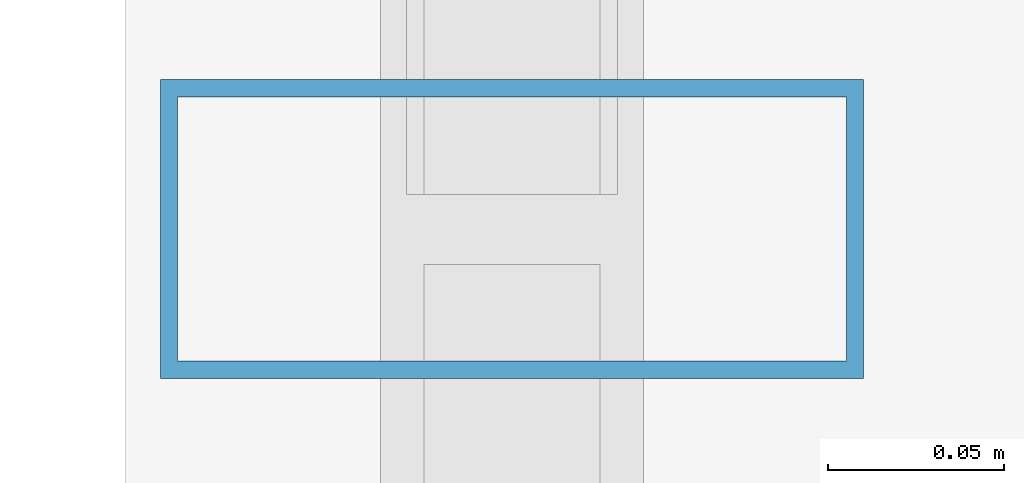
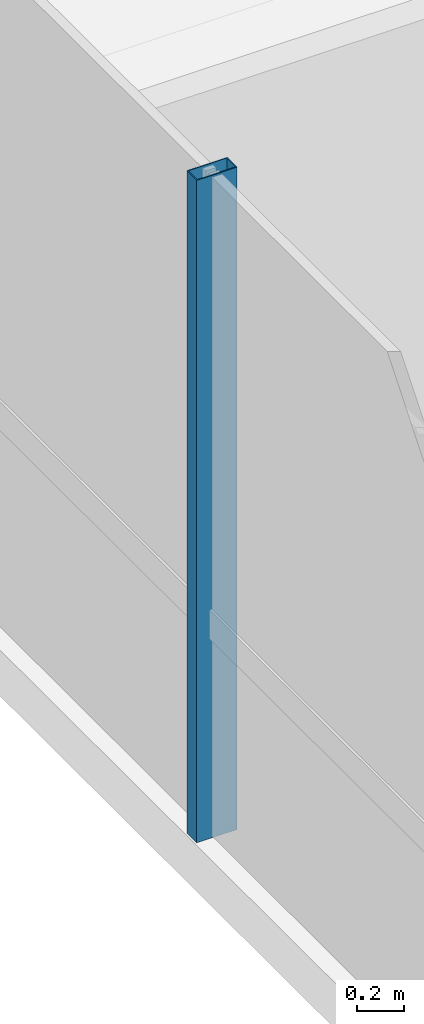
# One storey, part 8 of 40: 1 member, 1 element without a shape of its own.
"""IFC4 building model written with IfcOpenShell, lengths in metres."""

from ifc_helpers import new_model, si_unit, direction, frame, origin, origin_2d, place, context, subcontext, project, spatial, hollow_rectangle, extrude, source, transform, mapped, material, material_profile, profile_set, type_object, element, aggregate, save


model = new_model("IFC4")

# Units and contexts
model_context = context("Model", 3, precision=1e-05, world=origin(), true_north=direction((0.0, 1.0)))
body_context = subcontext(model_context, "Body", "Model", "MODEL_VIEW")
ifc_project = project(units=[si_unit("LENGTHUNIT", "METRE"), si_unit("AREAUNIT", "SQUARE_METRE"), si_unit("VOLUMEUNIT", "CUBIC_METRE"), si_unit("PLANEANGLEUNIT", "RADIAN"), si_unit("MASSUNIT", "GRAM", prefix="KILO")], contexts=[model_context])

# Site, building, storey
site_placement = place(None, origin())
site = spatial("IfcSite", under=ifc_project, at=site_placement, CompositionType="ELEMENT")
building_placement = place(site_placement, origin())
building = spatial("IfcBuilding", under=site, at=building_placement, Name="Valdorenza Pilgrim Sanctuary Tower", CompositionType="ELEMENT")
storey_placement = place(building_placement, frame((0.0, 0.0, 48.199951171875)))
storey = spatial("IfcBuildingStorey", under=building, at=storey_placement, Name="L11", CompositionType="ELEMENT", Elevation=48.199951171875)

# Curtain wall, member
ifc_material_1 = material(Name="Curtain-wall IGU glazing", Category="glass")
curtain_wall_type = type_object("IfcCurtainWallType", Name="CW-SYS-02", PredefinedType="NOTDEFINED", material=ifc_material_1)
curtain_wall_placement = place(storey_placement, origin())
curtain_wall = element("IfcCurtainWall", 1, at=curtain_wall_placement, inside=storey, type_object=curtain_wall_type, Name="L11 Curtain Wall CW-L11-1-1S1", PredefinedType="NOTDEFINED")
ifc_material_2 = material(Name="Anodised aluminium AW-6060", Category="aluminium")
ifc_material_profile = material_profile(ifc_material_2, hollow_rectangle(XDim=0.0849609375, YDim=0.199951171875, WallThickness=0.0048828125, at=origin_2d()), Name="ALU-M 200x85x5")
ifc_profile_set = profile_set([ifc_material_profile], Name="Anodised aluminium AW-6060")
member_type = type_object("IfcMemberType", Name="CW-MUL-02", PredefinedType="MULLION", material=ifc_profile_set)
shared_shape = source(origin(), body_context, "Body", "SweptSolid", [
    extrude(hollow_rectangle(XDim=0.0849609375, YDim=0.199951171875, WallThickness=0.0048828125, at=origin_2d()), origin(), (0.0, 0.0, 1.0), 3.4599609375),
])
member_placement = place(storey_placement, frame((-31.889892578125, -2.594482421875, 0.0), z_axis=(0.0, 0.0, 1.0), x_axis=(0.0, 1.0, 0.0)))
member = element("IfcMember", 2, at=member_placement, type_object=member_type, Name="CW-L11-1-1S1 Mullion 3", PredefinedType="MULLION", context=body_context, shape_type="MappedRepresentation", body=[
    mapped(shared_shape, transform((0.0, 0.0, 0.0), x_axis=(1.0, 0.0, 0.0), y_axis=(0.0, 1.0, 0.0), z_axis=(0.0, 0.0, 1.0), scale=1.0)),
])
aggregate(curtain_wall, [member])

save(model, "model.ifc")
